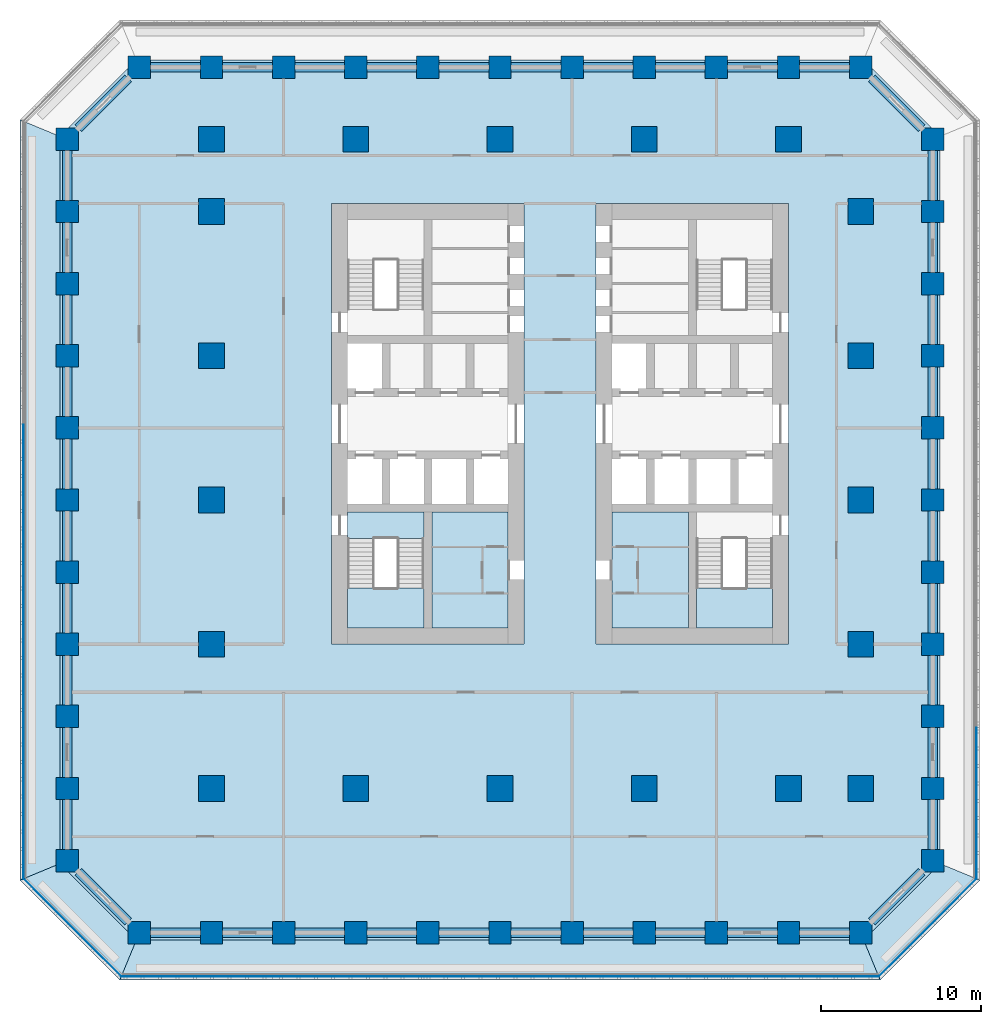
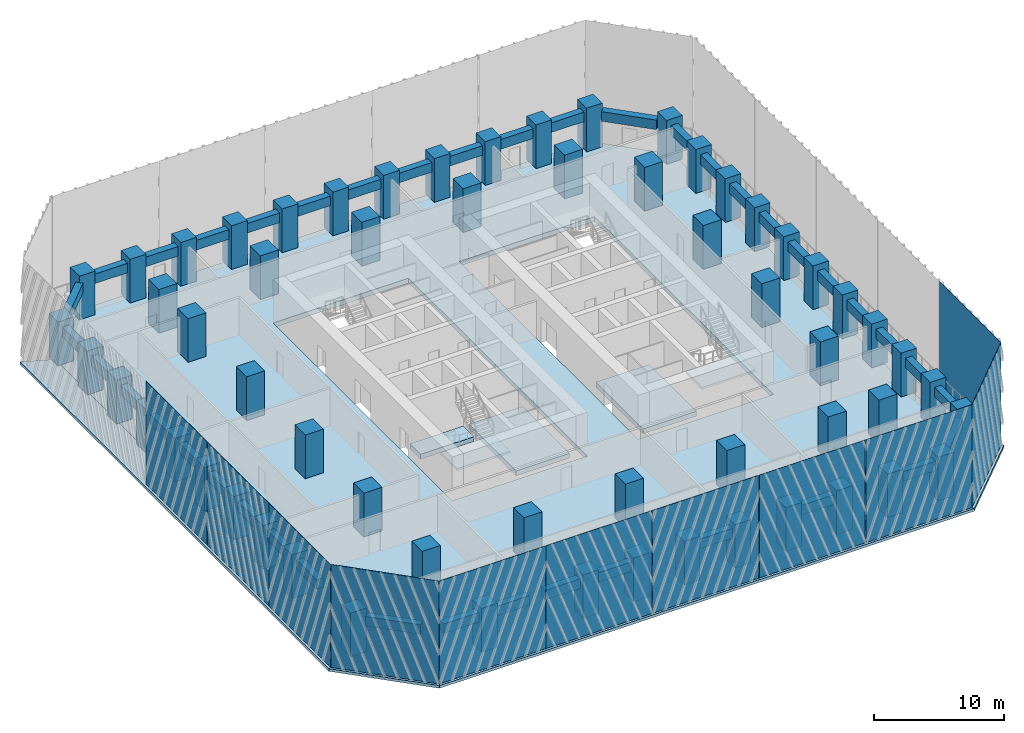
# One storey, part 1 of 12: 63 columns, 44 beams, 11 plates, 10 slabs, 2 elements without a shape of their own.
"""IFC4 building model written with IfcOpenShell, lengths in metres."""

from ifc_helpers import new_model, si_unit, direction, frame, origin, origin_2d, place, context, subcontext, project, spatial, polyline, rectangle, outline, extrude, material, layer, layer_set, material_profile, profile_set, type_object, element, aggregate, save


model = new_model("IFC4")

# Units and contexts
model_context = context("Model", 3, precision=1e-05, world=origin(), true_north=direction((0.0, 1.0)))
body_context = subcontext(model_context, "Body", "Model", "MODEL_VIEW")
ifc_project = project(units=[si_unit("LENGTHUNIT", "METRE"), si_unit("AREAUNIT", "SQUARE_METRE"), si_unit("VOLUMEUNIT", "CUBIC_METRE"), si_unit("PLANEANGLEUNIT", "RADIAN"), si_unit("MASSUNIT", "GRAM", prefix="KILO")], contexts=[model_context])

# Site, building, storey
site_placement = place(None, origin())
site = spatial("IfcSite", under=ifc_project, at=site_placement, CompositionType="ELEMENT")
building_placement = place(site_placement, origin())
building = spatial("IfcBuilding", under=site, at=building_placement, Name="Corbel Stack Research Tower", CompositionType="ELEMENT")
storey_placement = place(building_placement, frame((0.0, 0.0, 31.800048828125)))
storey = spatial("IfcBuildingStorey", under=building, at=storey_placement, Name="L07", CompositionType="ELEMENT", Elevation=31.800048828125)

# Columns
ifc_material_1 = material(Name="Concrete C70/85", Category="concrete")
ifc_material_profile_1 = material_profile(ifc_material_1, rectangle(XDim=1.39990234375, YDim=1.39990234375, at=origin_2d()), Name="RC 1400 x 1400")
ifc_profile_set_1 = profile_set([ifc_material_profile_1], Name="Concrete C70/85")
column_type_1 = type_object("IfcColumnType", Name="C-1400-70", PredefinedType="COLUMN", material=ifc_profile_set_1)
for number, where, z_axis, x_axis, name in (
    (1, (-27.0, -22.5, 0.0), (0.0, 0.0, 1.0), (1.0, 0.0, 0.0), "Column 2/C L07"),
    (2, (-27.0, -18.0, 0.0), (0.0, 0.0, 1.0), (1.0, 0.0, 0.0), "Column 2/D L07"),
    (3, (-27.0, -13.5, 0.0), (0.0, 0.0, 1.0), (1.0, 0.0, 0.0), "Column 2/E L07"),
    (4, (-27.0, -9.0, 0.0), (0.0, 0.0, 1.0), (1.0, 0.0, 0.0), "Column 2/F L07"),
    (5, (-27.0, -4.5, 0.0), (0.0, 0.0, 1.0), (1.0, 0.0, 0.0), "Column 2/G L07"),
    (6, (-27.0, 0.0, 0.0), (0.0, 0.0, 1.0), (1.0, 0.0, 0.0), "Column 2/H L07"),
    (7, (-27.0, 4.5, 0.0), (0.0, 0.0, 1.0), (1.0, 0.0, 0.0), "Column 2/J L07"),
    (8, (-27.0, 9.0, 0.0), (0.0, 0.0, 1.0), (1.0, 0.0, 0.0), "Column 2/K L07"),
    (9, (-27.0, 13.5, 0.0), (0.0, 0.0, 1.0), (1.0, 0.0, 0.0), "Column 2/L L07"),
    (10, (-27.0, 18.0, 0.0), (0.0, 0.0, 1.0), (1.0, 0.0, 0.0), "Column 2/M L07"),
    (11, (-27.0, 22.5, 0.0), (0.0, 0.0, 1.0), (1.0, 0.0, 0.0), "Column 2/N L07"),
    (12, (-22.5, -27.0, 0.0), (0.0, 0.0, 1.0), (1.0, 0.0, 0.0), "Column 3/B L07"),
    (13, (-22.5, 27.0, 0.0), (0.0, 0.0, 1.0), (1.0, 0.0, 0.0), "Column 3/P L07"),
    (14, (-18.0, -27.0, 0.0), (0.0, 0.0, 1.0), (1.0, 0.0, 0.0), "Column 4/B L07"),
    (15, (-18.0, 27.0, 0.0), (0.0, 0.0, 1.0), (1.0, 0.0, 0.0), "Column 4/P L07"),
    (16, (-13.5, -27.0, 0.0), (0.0, 0.0, 1.0), (1.0, 0.0, 0.0), "Column 5/B L07"),
    (17, (-13.5, 27.0, 0.0), (0.0, 0.0, 1.0), (1.0, 0.0, 0.0), "Column 5/P L07"),
    (18, (-9.0, -27.0, 0.0), (0.0, 0.0, 1.0), (1.0, 0.0, 0.0), "Column 6/B L07"),
    (19, (-9.0, 27.0, 0.0), (0.0, 0.0, 1.0), (1.0, 0.0, 0.0), "Column 6/P L07"),
    (20, (-4.5, -27.0, 0.0), (0.0, 0.0, 1.0), (1.0, 0.0, 0.0), "Column 7/B L07"),
    (21, (-4.5, 27.0, 0.0), (0.0, 0.0, 1.0), (1.0, 0.0, 0.0), "Column 7/P L07"),
    (22, (0.0, -27.0, 0.0), (0.0, 0.0, 1.0), (1.0, 0.0, 0.0), "Column 8/B L07"),
    (23, (0.0, 27.0, 0.0), (0.0, 0.0, 1.0), (1.0, 0.0, 0.0), "Column 8/P L07"),
    (24, (4.5, -27.0, 0.0), (0.0, 0.0, 1.0), (1.0, 0.0, 0.0), "Column 9/B L07"),
    (25, (4.5, 27.0, 0.0), (0.0, 0.0, 1.0), (1.0, 0.0, 0.0), "Column 9/P L07"),
    (26, (9.0, -27.0, 0.0), (0.0, 0.0, 1.0), (1.0, 0.0, 0.0), "Column 10/B L07"),
    (27, (9.0, 27.0, 0.0), (0.0, 0.0, 1.0), (1.0, 0.0, 0.0), "Column 10/P L07"),
    (28, (13.5, -27.0, 0.0), (0.0, 0.0, 1.0), (1.0, 0.0, 0.0), "Column 11/B L07"),
    (29, (13.5, 27.0, 0.0), (0.0, 0.0, 1.0), (1.0, 0.0, 0.0), "Column 11/P L07"),
    (30, (18.0, -27.0, 0.0), (0.0, 0.0, 1.0), (1.0, 0.0, 0.0), "Column 12/B L07"),
    (31, (18.0, 27.0, 0.0), (0.0, 0.0, 1.0), (1.0, 0.0, 0.0), "Column 12/P L07"),
    (32, (22.5, -27.0, 0.0), (0.0, 0.0, 1.0), (1.0, 0.0, 0.0), "Column 13/B L07"),
    (33, (22.5, 27.0, 0.0), (0.0, 0.0, 1.0), (1.0, 0.0, 0.0), "Column 13/P L07"),
    (34, (27.0, -22.5, 0.0), (0.0, 0.0, 1.0), (1.0, 0.0, 0.0), "Column 14/C L07"),
    (35, (27.0, -18.0, 0.0), (0.0, 0.0, 1.0), (1.0, 0.0, 0.0), "Column 14/D L07"),
    (36, (27.0, -13.5, 0.0), (0.0, 0.0, 1.0), (1.0, 0.0, 0.0), "Column 14/E L07"),
    (37, (27.0, -9.0, 0.0), (0.0, 0.0, 1.0), (1.0, 0.0, 0.0), "Column 14/F L07"),
    (38, (27.0, -4.5, 0.0), (0.0, 0.0, 1.0), (1.0, 0.0, 0.0), "Column 14/G L07"),
    (39, (27.0, 0.0, 0.0), (0.0, 0.0, 1.0), (1.0, 0.0, 0.0), "Column 14/H L07"),
    (40, (27.0, 4.5, 0.0), (0.0, 0.0, 1.0), (1.0, 0.0, 0.0), "Column 14/J L07"),
    (41, (27.0, 9.0, 0.0), (0.0, 0.0, 1.0), (1.0, 0.0, 0.0), "Column 14/K L07"),
    (42, (27.0, 13.5, 0.0), (0.0, 0.0, 1.0), (1.0, 0.0, 0.0), "Column 14/L L07"),
    (43, (27.0, 18.0, 0.0), (0.0, 0.0, 1.0), (1.0, 0.0, 0.0), "Column 14/M L07"),
    (44, (27.0, 22.5, 0.0), (0.0, 0.0, 1.0), (1.0, 0.0, 0.0), "Column 14/N L07"),
):
    element("IfcColumn", number, at=place(storey_placement, frame(where, z_axis=z_axis, x_axis=x_axis)), inside=storey, type_object=column_type_1, Name=name, PredefinedType="COLUMN", context=body_context, shape_type="SweptSolid", body=[
        extrude(rectangle(XDim=1.39990234375, YDim=1.39990234375, at=origin_2d()), origin(), (0.0, 0.0, 1.0), 4.099853515625),
    ])
ifc_material_2 = material(Name="Concrete C70/85", Category="concrete")
ifc_material_profile_2 = material_profile(ifc_material_2, rectangle(XDim=1.60009765625, YDim=1.60009765625, at=origin_2d()), Name="RC 1600 x 1600")
ifc_profile_set_2 = profile_set([ifc_material_profile_2], Name="Concrete C70/85")
column_type_2 = type_object("IfcColumnType", Name="C-1600-70", PredefinedType="COLUMN", material=ifc_profile_set_2)
for number, where, z_axis, x_axis, name in (
    (45, (-18.0, -18.0, 0.0), (0.0, 0.0, 1.0), (1.0, 0.0, 0.0), "Column 4/D L07"),
    (46, (-18.0, -9.0, 0.0), (0.0, 0.0, 1.0), (1.0, 0.0, 0.0), "Column 4/F L07"),
    (47, (-18.0, 0.0, 0.0), (0.0, 0.0, 1.0), (1.0, 0.0, 0.0), "Column 4/H L07"),
    (48, (-18.0, 9.0, 0.0), (0.0, 0.0, 1.0), (1.0, 0.0, 0.0), "Column 4/K L07"),
    (49, (-18.0, 18.0, 0.0), (0.0, 0.0, 1.0), (1.0, 0.0, 0.0), "Column 4/M L07"),
    (50, (-18.0, 22.5, 0.0), (0.0, 0.0, 1.0), (1.0, 0.0, 0.0), "Column 4/N L07"),
    (51, (-9.0, -18.0, 0.0), (0.0, 0.0, 1.0), (1.0, 0.0, 0.0), "Column 6/D L07"),
    (52, (-9.0, 22.5, 0.0), (0.0, 0.0, 1.0), (1.0, 0.0, 0.0), "Column 6/N L07"),
    (53, (0.0, -18.0, 0.0), (0.0, 0.0, 1.0), (1.0, 0.0, 0.0), "Column 8/D L07"),
    (54, (0.0, 22.5, 0.0), (0.0, 0.0, 1.0), (1.0, 0.0, 0.0), "Column 8/N L07"),
    (55, (9.0, -18.0, 0.0), (0.0, 0.0, 1.0), (1.0, 0.0, 0.0), "Column 10/D L07"),
    (56, (9.0, 22.5, 0.0), (0.0, 0.0, 1.0), (1.0, 0.0, 0.0), "Column 10/N L07"),
    (57, (18.0, -18.0, 0.0), (0.0, 0.0, 1.0), (1.0, 0.0, 0.0), "Column 12/D L07"),
    (58, (18.0, 22.5, 0.0), (0.0, 0.0, 1.0), (1.0, 0.0, 0.0), "Column 12/N L07"),
    (59, (22.5, -18.0, 0.0), (0.0, 0.0, 1.0), (1.0, 0.0, 0.0), "Column 13/D L07"),
    (60, (22.5, -9.0, 0.0), (0.0, 0.0, 1.0), (1.0, 0.0, 0.0), "Column 13/F L07"),
    (61, (22.5, 0.0, 0.0), (0.0, 0.0, 1.0), (1.0, 0.0, 0.0), "Column 13/H L07"),
    (62, (22.5, 9.0, 0.0), (0.0, 0.0, 1.0), (1.0, 0.0, 0.0), "Column 13/K L07"),
    (63, (22.5, 18.0, 0.0), (0.0, 0.0, 1.0), (1.0, 0.0, 0.0), "Column 13/M L07"),
):
    element("IfcColumn", number, at=place(storey_placement, frame(where, z_axis=z_axis, x_axis=x_axis)), inside=storey, type_object=column_type_2, Name=name, PredefinedType="COLUMN", context=body_context, shape_type="SweptSolid", body=[
        extrude(rectangle(XDim=1.60009765625, YDim=1.60009765625, at=origin_2d()), origin(), (0.0, 0.0, 1.0), 4.099853515625),
    ])

# Beams
ifc_material_3 = material(Name="Concrete C60/75", Category="concrete")
ifc_material_profile_3 = material_profile(ifc_material_3, rectangle(XDim=0.60009765625, YDim=0.89990234375, at=origin_2d()), Name="RC 600 x 900")
ifc_profile_set_3 = profile_set([ifc_material_profile_3], Name="Concrete C60/75")
beam_type = type_object("IfcBeamType", Name="SB-600-900-600", PredefinedType="SPANDREL", material=ifc_profile_set_3)
for number, where, z_axis, x_axis, name in (
    (64, (-21.800048828125, -27.0, 3.050048828125), (1.0, 0.0, 0.0), (0.0, 1.0, 0.0), "Spandrel beam L07-01"),
    (65, (-17.300048828125, -27.0, 3.050048828125), (1.0, 0.0, 0.0), (0.0, 1.0, 0.0), "Spandrel beam L07-02"),
    (66, (-12.800048828125, -27.0, 3.050048828125), (1.0, 0.0, 0.0), (0.0, 1.0, 0.0), "Spandrel beam L07-03"),
    (67, (-8.300048828125, -27.0, 3.050048828125), (1.0, 0.0, 0.0), (0.0, 1.0, 0.0), "Spandrel beam L07-04"),
    (68, (-3.800048828125, -27.0, 3.050048828125), (1.0, 0.0, 0.0), (0.0, 1.0, 0.0), "Spandrel beam L07-05"),
    (69, (0.699951171875, -27.0, 3.050048828125), (1.0, 0.0, 0.0), (0.0, 1.0, 0.0), "Spandrel beam L07-06"),
    (70, (5.199951171875, -27.0, 3.050048828125), (1.0, 0.0, 0.0), (0.0, 1.0, 0.0), "Spandrel beam L07-07"),
    (71, (9.699951171875, -27.0, 3.050048828125), (1.0, 0.0, 0.0), (0.0, 1.0, 0.0), "Spandrel beam L07-08"),
    (72, (14.199951171875, -27.0, 3.050048828125), (1.0, 0.0, 0.0), (0.0, 1.0, 0.0), "Spandrel beam L07-09"),
    (73, (18.699951171875, -27.0, 3.050048828125), (1.0, 0.0, 0.0), (0.0, 1.0, 0.0), "Spandrel beam L07-10"),
):
    element("IfcBeam", number, at=place(storey_placement, frame(where, z_axis=z_axis, x_axis=x_axis)), inside=storey, type_object=beam_type, Name=name, PredefinedType="SPANDREL", context=body_context, shape_type="SweptSolid", body=[
        extrude(rectangle(XDim=0.60009765625, YDim=0.89990234375, at=origin_2d()), origin(), (0.0, 0.0, 1.0), 3.10009765625),
    ])
beam_1_placement = place(storey_placement, frame((23.199951171875, -26.300048828125, 3.050048828125), z_axis=(0.707106781187, 0.707106781187, 0.0), x_axis=(-0.707106781187, 0.707106781187, 0.0)))
element("IfcBeam", 74, at=beam_1_placement, inside=storey, type_object=beam_type, Name="Spandrel beam L07-11", PredefinedType="SPANDREL", context=body_context, shape_type="SweptSolid", body=[
    extrude(rectangle(XDim=0.60009765625, YDim=0.89990234375, at=origin_2d()), origin(), (0.0, 0.0, 1.0), 4.38427734375),
])
for number, where, z_axis, x_axis, name in (
    (75, (27.0, -21.800048828125, 3.050048828125), (0.0, 1.0, 0.0), (-1.0, 0.0, 0.0), "Spandrel beam L07-12"),
    (76, (27.0, -17.300048828125, 3.050048828125), (0.0, 1.0, 0.0), (-1.0, 0.0, 0.0), "Spandrel beam L07-13"),
    (77, (27.0, -12.800048828125, 3.050048828125), (0.0, 1.0, 0.0), (-1.0, 0.0, 0.0), "Spandrel beam L07-14"),
    (78, (27.0, -8.300048828125, 3.050048828125), (0.0, 1.0, 0.0), (-1.0, 0.0, 0.0), "Spandrel beam L07-15"),
    (79, (27.0, -3.800048828125, 3.050048828125), (0.0, 1.0, 0.0), (-1.0, 0.0, 0.0), "Spandrel beam L07-16"),
    (80, (27.0, 0.699951171875, 3.050048828125), (0.0, 1.0, 0.0), (-1.0, 0.0, 0.0), "Spandrel beam L07-17"),
    (81, (27.0, 5.199951171875, 3.050048828125), (0.0, 1.0, 0.0), (-1.0, 0.0, 0.0), "Spandrel beam L07-18"),
    (82, (27.0, 9.699951171875, 3.050048828125), (0.0, 1.0, 0.0), (-1.0, 0.0, 0.0), "Spandrel beam L07-19"),
    (83, (27.0, 14.199951171875, 3.050048828125), (0.0, 1.0, 0.0), (-1.0, 0.0, 0.0), "Spandrel beam L07-20"),
    (84, (27.0, 18.699951171875, 3.050048828125), (0.0, 1.0, 0.0), (-1.0, 0.0, 0.0), "Spandrel beam L07-21"),
):
    element("IfcBeam", number, at=place(storey_placement, frame(where, z_axis=z_axis, x_axis=x_axis)), inside=storey, type_object=beam_type, Name=name, PredefinedType="SPANDREL", context=body_context, shape_type="SweptSolid", body=[
        extrude(rectangle(XDim=0.60009765625, YDim=0.89990234375, at=origin_2d()), origin(), (0.0, 0.0, 1.0), 3.10009765625),
    ])
beam_2_placement = place(storey_placement, frame((26.300048828125, 23.199951171875, 3.050048828125), z_axis=(-0.707106781187, 0.707106781187, 0.0), x_axis=(-0.707106781187, -0.707106781187, 0.0)))
element("IfcBeam", 85, at=beam_2_placement, inside=storey, type_object=beam_type, Name="Spandrel beam L07-22", PredefinedType="SPANDREL", context=body_context, shape_type="SweptSolid", body=[
    extrude(rectangle(XDim=0.60009765625, YDim=0.89990234375, at=origin_2d()), origin(), (0.0, 0.0, 1.0), 4.38427734375),
])
for number, where, z_axis, x_axis, name in (
    (86, (21.800048828125, 27.0, 3.050048828125), (-1.0, 0.0, 0.0), (0.0, -1.0, 0.0), "Spandrel beam L07-23"),
    (87, (17.300048828125, 27.0, 3.050048828125), (-1.0, 0.0, 0.0), (0.0, -1.0, 0.0), "Spandrel beam L07-24"),
    (88, (12.800048828125, 27.0, 3.050048828125), (-1.0, 0.0, 0.0), (0.0, -1.0, 0.0), "Spandrel beam L07-25"),
    (89, (8.300048828125, 27.0, 3.050048828125), (-1.0, 0.0, 0.0), (0.0, -1.0, 0.0), "Spandrel beam L07-26"),
    (90, (3.800048828125, 27.0, 3.050048828125), (-1.0, 0.0, 0.0), (0.0, -1.0, 0.0), "Spandrel beam L07-27"),
    (91, (-0.699951171875, 27.0, 3.050048828125), (-1.0, 0.0, 0.0), (0.0, -1.0, 0.0), "Spandrel beam L07-28"),
    (92, (-5.199951171875, 27.0, 3.050048828125), (-1.0, 0.0, 0.0), (0.0, -1.0, 0.0), "Spandrel beam L07-29"),
    (93, (-9.699951171875, 27.0, 3.050048828125), (-1.0, 0.0, 0.0), (0.0, -1.0, 0.0), "Spandrel beam L07-30"),
    (94, (-14.199951171875, 27.0, 3.050048828125), (-1.0, 0.0, 0.0), (0.0, -1.0, 0.0), "Spandrel beam L07-31"),
    (95, (-18.699951171875, 27.0, 3.050048828125), (-1.0, 0.0, 0.0), (0.0, -1.0, 0.0), "Spandrel beam L07-32"),
):
    element("IfcBeam", number, at=place(storey_placement, frame(where, z_axis=z_axis, x_axis=x_axis)), inside=storey, type_object=beam_type, Name=name, PredefinedType="SPANDREL", context=body_context, shape_type="SweptSolid", body=[
        extrude(rectangle(XDim=0.60009765625, YDim=0.89990234375, at=origin_2d()), origin(), (0.0, 0.0, 1.0), 3.10009765625),
    ])
beam_3_placement = place(storey_placement, frame((-23.199951171875, 26.300048828125, 3.050048828125), z_axis=(-0.707106781187, -0.707106781187, 0.0), x_axis=(0.707106781187, -0.707106781187, 0.0)))
element("IfcBeam", 96, at=beam_3_placement, inside=storey, type_object=beam_type, Name="Spandrel beam L07-33", PredefinedType="SPANDREL", context=body_context, shape_type="SweptSolid", body=[
    extrude(rectangle(XDim=0.60009765625, YDim=0.89990234375, at=origin_2d()), origin(), (0.0, 0.0, 1.0), 4.38427734375),
])
for number, where, z_axis, x_axis, name in (
    (97, (-27.0, 21.800048828125, 3.050048828125), (0.0, -1.0, 0.0), (1.0, 0.0, 0.0), "Spandrel beam L07-34"),
    (98, (-27.0, 17.300048828125, 3.050048828125), (0.0, -1.0, 0.0), (1.0, 0.0, 0.0), "Spandrel beam L07-35"),
    (99, (-27.0, 12.800048828125, 3.050048828125), (0.0, -1.0, 0.0), (1.0, 0.0, 0.0), "Spandrel beam L07-36"),
    (100, (-27.0, 8.300048828125, 3.050048828125), (0.0, -1.0, 0.0), (1.0, 0.0, 0.0), "Spandrel beam L07-37"),
    (101, (-27.0, 3.800048828125, 3.050048828125), (0.0, -1.0, 0.0), (1.0, 0.0, 0.0), "Spandrel beam L07-38"),
    (102, (-27.0, -0.699951171875, 3.050048828125), (0.0, -1.0, 0.0), (1.0, 0.0, 0.0), "Spandrel beam L07-39"),
    (103, (-27.0, -5.199951171875, 3.050048828125), (0.0, -1.0, 0.0), (1.0, 0.0, 0.0), "Spandrel beam L07-40"),
    (104, (-27.0, -9.699951171875, 3.050048828125), (0.0, -1.0, 0.0), (1.0, 0.0, 0.0), "Spandrel beam L07-41"),
    (105, (-27.0, -14.199951171875, 3.050048828125), (0.0, -1.0, 0.0), (1.0, 0.0, 0.0), "Spandrel beam L07-42"),
    (106, (-27.0, -18.699951171875, 3.050048828125), (0.0, -1.0, 0.0), (1.0, 0.0, 0.0), "Spandrel beam L07-43"),
):
    element("IfcBeam", number, at=place(storey_placement, frame(where, z_axis=z_axis, x_axis=x_axis)), inside=storey, type_object=beam_type, Name=name, PredefinedType="SPANDREL", context=body_context, shape_type="SweptSolid", body=[
        extrude(rectangle(XDim=0.60009765625, YDim=0.89990234375, at=origin_2d()), origin(), (0.0, 0.0, 1.0), 3.10009765625),
    ])
beam_4_placement = place(storey_placement, frame((-26.300048828125, -23.199951171875, 3.050048828125), z_axis=(0.707106781187, -0.707106781187, 0.0), x_axis=(0.707106781187, 0.707106781187, 0.0)))
element("IfcBeam", 107, at=beam_4_placement, inside=storey, type_object=beam_type, Name="Spandrel beam L07-44", PredefinedType="SPANDREL", context=body_context, shape_type="SweptSolid", body=[
    extrude(rectangle(XDim=0.60009765625, YDim=0.89990234375, at=origin_2d()), origin(), (0.0, 0.0, 1.0), 4.38427734375),
])

# Plates
ifc_material_4 = material(Name="Fritted glass", Category="glass")
ifc_layer_1 = layer(ifc_material_4, 0.02490234375)
ifc_layer_set_1 = layer_set([ifc_layer_1], Name="Fritted glass")
plate_type = type_object("IfcPlateType", Name="Fritted glass panel 25", PredefinedType="SHEET", material=ifc_layer_set_1)
for number, where, z_axis, x_axis, name in (
    (108, (-18.911376953125, -29.737548828125, 0.0), (0.0, 0.0, 1.0), (1.0, 0.0, 0.0), "Fritted glass L07 S1"),
    (109, (-9.45556640625, -29.737548828125, 0.0), (0.0, 0.0, 1.0), (1.0, 0.0, 0.0), "Fritted glass L07 S2"),
    (110, (0.0, -29.737548828125, 0.0), (0.0, 0.0, 1.0), (1.0, 0.0, 0.0), "Fritted glass L07 S3"),
    (111, (9.45556640625, -29.737548828125, 0.0), (0.0, 0.0, 1.0), (1.0, 0.0, 0.0), "Fritted glass L07 S4"),
    (112, (18.911376953125, -29.737548828125, 0.0), (0.0, 0.0, 1.0), (1.0, 0.0, 0.0), "Fritted glass L07 S5"),
):
    element("IfcPlate", number, at=place(storey_placement, frame(where, z_axis=z_axis, x_axis=x_axis)), inside=storey, type_object=plate_type, Name=name, PredefinedType="SHEET", context=body_context, shape_type="SweptSolid", body=[
        extrude(rectangle(XDim=9.3955078125, YDim=0.02490234375, at=origin_2d()), origin(), (0.0, 0.0, 1.0), 9.64990234375),
    ])
plate_1_placement = place(storey_placement, frame((26.685791015625, -26.685791015625, 0.0), z_axis=(0.0, 0.0, 1.0), x_axis=(0.707106781187, 0.707106781187, 0.0)))
element("IfcPlate", 113, at=plate_1_placement, inside=storey, type_object=plate_type, Name="Fritted glass L07 SE1", PredefinedType="SHEET", context=body_context, shape_type="SweptSolid", body=[
    extrude(rectangle(XDim=8.58203125, YDim=0.02490234375, at=origin_2d()), origin(), (0.0, 0.0, 1.0), 9.64990234375),
])
for number, where, z_axis, x_axis, name in (
    (114, (29.737548828125, -18.911376953125, 0.0), (0.0, 0.0, 1.0), (0.0, 1.0, 0.0), "Fritted glass L07 E1"),
    (115, (-29.737548828125, 0.0, 0.0), (0.0, 0.0, 1.0), (0.0, -1.0, 0.0), "Fritted glass L07 W3"),
    (116, (-29.737548828125, -9.45556640625, 0.0), (0.0, 0.0, 1.0), (0.0, -1.0, 0.0), "Fritted glass L07 W4"),
    (117, (-29.737548828125, -18.911376953125, 0.0), (0.0, 0.0, 1.0), (0.0, -1.0, 0.0), "Fritted glass L07 W5"),
):
    element("IfcPlate", number, at=place(storey_placement, frame(where, z_axis=z_axis, x_axis=x_axis)), inside=storey, type_object=plate_type, Name=name, PredefinedType="SHEET", context=body_context, shape_type="SweptSolid", body=[
        extrude(rectangle(XDim=9.3955078125, YDim=0.02490234375, at=origin_2d()), origin(), (0.0, 0.0, 1.0), 9.64990234375),
    ])
plate_2_placement = place(storey_placement, frame((-26.685791015625, -26.685791015625, 0.0), z_axis=(0.0, 0.0, 1.0), x_axis=(0.707106781187, -0.707106781187, 0.0)))
element("IfcPlate", 118, at=plate_2_placement, inside=storey, type_object=plate_type, Name="Fritted glass L07 SW1", PredefinedType="SHEET", context=body_context, shape_type="SweptSolid", body=[
    extrude(rectangle(XDim=8.58203125, YDim=0.02490234375, at=origin_2d()), origin(), (0.0, 0.0, 1.0), 9.64990234375),
])

# Slabs
ifc_material_5 = material(Name="Concrete C45/55", Category="concrete")
ifc_layer_2 = layer(ifc_material_5, 0.25)
ifc_layer_set_2 = layer_set([ifc_layer_2], Name="Concrete C45/55")
slab_type_1 = type_object("IfcSlabType", Name="PT balcony slab 250 C45/55", PredefinedType="FLOOR", material=ifc_layer_set_2)
slab_1_placement = place(storey_placement, frame((0.0, 0.0, -0.25)))
element("IfcSlab", 119, at=slab_1_placement, inside=storey, type_object=slab_type_1, Name="Loggia slab L07 S", PredefinedType="FLOOR", context=body_context, shape_type="SweptSolid", body=[
    extrude(outline(polyline([(22.789794921875, -27.699951171875), (21.800048828125, -27.699951171875), (21.800048828125, -27.449951171875), (18.699951171875, -27.449951171875), (18.699951171875, -27.699951171875), (17.300048828125, -27.699951171875), (17.300048828125, -27.449951171875), (14.199951171875, -27.449951171875), (14.199951171875, -27.699951171875), (12.800048828125, -27.699951171875), (12.800048828125, -27.449951171875), (9.699951171875, -27.449951171875), (9.699951171875, -27.699951171875), (8.300048828125, -27.699951171875), (8.300048828125, -27.449951171875), (5.199951171875, -27.449951171875), (5.199951171875, -27.699951171875), (3.800048828125, -27.699951171875), (3.800048828125, -27.449951171875), (0.699951171875, -27.449951171875), (0.699951171875, -27.699951171875), (-0.699951171875, -27.699951171875), (-0.699951171875, -27.449951171875), (-3.800048828125, -27.449951171875), (-3.800048828125, -27.699951171875), (-5.199951171875, -27.699951171875), (-5.199951171875, -27.449951171875), (-8.300048828125, -27.449951171875), (-8.300048828125, -27.699951171875), (-9.699951171875, -27.699951171875), (-9.699951171875, -27.449951171875), (-12.800048828125, -27.449951171875), (-12.800048828125, -27.699951171875), (-14.199951171875, -27.699951171875), (-14.199951171875, -27.449951171875), (-17.300048828125, -27.449951171875), (-17.300048828125, -27.699951171875), (-18.699951171875, -27.699951171875), (-18.699951171875, -27.449951171875), (-21.800048828125, -27.449951171875), (-21.800048828125, -27.699951171875), (-22.789794921875, -27.699951171875), (-23.721923828125, -29.949951171875), (23.721923828125, -29.949951171875), (22.789794921875, -27.699951171875)])), origin(), (0.0, 0.0, 1.0), 0.25),
])
slab_2_placement = place(storey_placement, frame((0.0, 0.0, -0.25)))
element("IfcSlab", 120, at=slab_2_placement, inside=storey, type_object=slab_type_1, Name="Loggia slab L07 SE", PredefinedType="FLOOR", context=body_context, shape_type="SweptSolid", body=[
    extrude(outline(polyline([(27.699951171875, -22.789794921875), (27.699951171875, -23.199951171875), (26.936279296875, -23.199951171875), (23.199951171875, -26.936279296875), (23.199951171875, -27.699951171875), (22.789794921875, -27.699951171875), (23.721923828125, -29.949951171875), (29.949951171875, -23.721923828125), (27.699951171875, -22.789794921875)])), origin(), (0.0, 0.0, 1.0), 0.25),
])
slab_3_placement = place(storey_placement, frame((0.0, 0.0, -0.25)))
element("IfcSlab", 121, at=slab_3_placement, inside=storey, type_object=slab_type_1, Name="Loggia slab L07 W", PredefinedType="FLOOR", context=body_context, shape_type="SweptSolid", body=[
    extrude(outline(polyline([(-27.699951171875, -22.789794921875), (-27.699951171875, -21.800048828125), (-27.449951171875, -21.800048828125), (-27.449951171875, -18.699951171875), (-27.699951171875, -18.699951171875), (-27.699951171875, -17.300048828125), (-27.449951171875, -17.300048828125), (-27.449951171875, -14.199951171875), (-27.699951171875, -14.199951171875), (-27.699951171875, -12.800048828125), (-27.449951171875, -12.800048828125), (-27.449951171875, -9.699951171875), (-27.699951171875, -9.699951171875), (-27.699951171875, -8.300048828125), (-27.449951171875, -8.300048828125), (-27.449951171875, -5.199951171875), (-27.699951171875, -5.199951171875), (-27.699951171875, -3.800048828125), (-27.449951171875, -3.800048828125), (-27.449951171875, -0.699951171875), (-27.699951171875, -0.699951171875), (-27.699951171875, 0.699951171875), (-27.449951171875, 0.699951171875), (-27.449951171875, 3.800048828125), (-27.699951171875, 3.800048828125), (-27.699951171875, 5.199951171875), (-27.449951171875, 5.199951171875), (-27.449951171875, 8.300048828125), (-27.699951171875, 8.300048828125), (-27.699951171875, 9.699951171875), (-27.449951171875, 9.699951171875), (-27.449951171875, 12.800048828125), (-27.699951171875, 12.800048828125), (-27.699951171875, 14.199951171875), (-27.449951171875, 14.199951171875), (-27.449951171875, 17.300048828125), (-27.699951171875, 17.300048828125), (-27.699951171875, 18.699951171875), (-27.449951171875, 18.699951171875), (-27.449951171875, 21.800048828125), (-27.699951171875, 21.800048828125), (-27.699951171875, 22.789794921875), (-29.949951171875, 23.721923828125), (-29.949951171875, -23.721923828125), (-27.699951171875, -22.789794921875)])), origin(), (0.0, 0.0, 1.0), 0.25),
])
slab_4_placement = place(storey_placement, frame((0.0, 0.0, -0.25)))
element("IfcSlab", 122, at=slab_4_placement, inside=storey, type_object=slab_type_1, Name="Loggia slab L07 SW", PredefinedType="FLOOR", context=body_context, shape_type="SweptSolid", body=[
    extrude(outline(polyline([(-22.789794921875, -27.699951171875), (-23.199951171875, -27.699951171875), (-23.199951171875, -26.936279296875), (-26.936279296875, -23.199951171875), (-27.699951171875, -23.199951171875), (-27.699951171875, -22.789794921875), (-29.949951171875, -23.721923828125), (-23.721923828125, -29.949951171875), (-22.789794921875, -27.699951171875)])), origin(), (0.0, 0.0, 1.0), 0.25),
])
ifc_material_6 = material(Name="Concrete C45/55", Category="concrete")
ifc_layer_3 = layer(ifc_material_6, 0.449951171875)
ifc_layer_set_3 = layer_set([ifc_layer_3], Name="Concrete C45/55")
slab_type_2 = type_object("IfcSlabType", Name="PT-450", PredefinedType="FLOOR", material=ifc_layer_set_3)
slab_5_placement = place(storey_placement, frame((0.0, 0.0, -0.449951171875)))
element("IfcSlab", 123, at=slab_5_placement, inside=storey, type_object=slab_type_2, Name="Floor slab L07", PredefinedType="FLOOR", context=body_context, shape_type="SweptSolid", body=[
    extrude(outline(polyline([(-22.686279296875, -27.449951171875), (22.686279296875, -27.449951171875), (27.449951171875, -22.686279296875), (27.449951171875, 22.686279296875), (22.686279296875, 27.449951171875), (-22.686279296875, 27.449951171875), (-27.449951171875, 22.686279296875), (-27.449951171875, -22.686279296875), (-22.686279296875, -27.449951171875)]), holes=[polyline([(23.300048828125, 17.199951171875), (21.699951171875, 17.199951171875), (21.699951171875, 18.800048828125), (23.300048828125, 18.800048828125), (23.300048828125, 17.199951171875)]), polyline([(21.699951171875, 8.199951171875), (21.699951171875, 9.800048828125), (23.300048828125, 9.800048828125), (23.300048828125, 8.199951171875), (21.699951171875, 8.199951171875)]), polyline([(23.300048828125, -0.800048828125), (21.699951171875, -0.800048828125), (21.699951171875, 0.800048828125), (23.300048828125, 0.800048828125), (23.300048828125, -0.800048828125)]), polyline([(21.699951171875, -9.800048828125), (21.699951171875, -8.199951171875), (23.300048828125, -8.199951171875), (23.300048828125, -9.800048828125), (21.699951171875, -9.800048828125)]), polyline([(21.699951171875, -18.800048828125), (21.699951171875, -17.199951171875), (23.300048828125, -17.199951171875), (23.300048828125, -18.800048828125), (21.699951171875, -18.800048828125)]), polyline([(17.199951171875, 21.699951171875), (17.199951171875, 23.300048828125), (18.800048828125, 23.300048828125), (18.800048828125, 21.699951171875), (17.199951171875, 21.699951171875)]), polyline([(18.800048828125, -18.800048828125), (17.199951171875, -18.800048828125), (17.199951171875, -17.199951171875), (18.800048828125, -17.199951171875), (18.800048828125, -18.800048828125)]), polyline([(6.0, -9.0), (6.0, 18.5), (18.0, 18.5), (18.0, -9.0), (6.0, -9.0)]), polyline([(8.199951171875, 21.699951171875), (8.199951171875, 23.300048828125), (9.800048828125, 23.300048828125), (9.800048828125, 21.699951171875), (8.199951171875, 21.699951171875)]), polyline([(9.800048828125, -18.800048828125), (8.199951171875, -18.800048828125), (8.199951171875, -17.199951171875), (9.800048828125, -17.199951171875), (9.800048828125, -18.800048828125)]), polyline([(1.5, -9.0), (-10.5, -9.0), (-10.5, 18.5), (1.5, 18.5), (1.5, -9.0)]), polyline([(0.800048828125, 21.699951171875), (-0.800048828125, 21.699951171875), (-0.800048828125, 23.300048828125), (0.800048828125, 23.300048828125), (0.800048828125, 21.699951171875)]), polyline([(0.800048828125, -18.800048828125), (-0.800048828125, -18.800048828125), (-0.800048828125, -17.199951171875), (0.800048828125, -17.199951171875), (0.800048828125, -18.800048828125)]), polyline([(-9.800048828125, 21.699951171875), (-9.800048828125, 23.300048828125), (-8.199951171875, 23.300048828125), (-8.199951171875, 21.699951171875), (-9.800048828125, 21.699951171875)]), polyline([(-8.199951171875, -18.800048828125), (-9.800048828125, -18.800048828125), (-9.800048828125, -17.199951171875), (-8.199951171875, -17.199951171875), (-8.199951171875, -18.800048828125)]), polyline([(-18.800048828125, 21.699951171875), (-18.800048828125, 23.300048828125), (-17.199951171875, 23.300048828125), (-17.199951171875, 21.699951171875), (-18.800048828125, 21.699951171875)]), polyline([(-17.199951171875, 17.199951171875), (-18.800048828125, 17.199951171875), (-18.800048828125, 18.800048828125), (-17.199951171875, 18.800048828125), (-17.199951171875, 17.199951171875)]), polyline([(-17.199951171875, 8.199951171875), (-18.800048828125, 8.199951171875), (-18.800048828125, 9.800048828125), (-17.199951171875, 9.800048828125), (-17.199951171875, 8.199951171875)]), polyline([(-18.800048828125, -0.800048828125), (-18.800048828125, 0.800048828125), (-17.199951171875, 0.800048828125), (-17.199951171875, -0.800048828125), (-18.800048828125, -0.800048828125)]), polyline([(-18.800048828125, -9.800048828125), (-18.800048828125, -8.199951171875), (-17.199951171875, -8.199951171875), (-17.199951171875, -9.800048828125), (-18.800048828125, -9.800048828125)]), polyline([(-17.199951171875, -18.800048828125), (-18.800048828125, -18.800048828125), (-18.800048828125, -17.199951171875), (-17.199951171875, -17.199951171875), (-17.199951171875, -18.800048828125)])]), origin(), (0.0, 0.0, 1.0), 0.449951171875),
])
slab_6_placement = place(storey_placement, frame((0.0, 0.0, -0.449951171875)))
element("IfcSlab", 124, at=slab_6_placement, inside=storey, type_object=slab_type_2, Name="West core floor L07", PredefinedType="FLOOR", context=body_context, shape_type="SweptSolid", body=[
    extrude(outline(polyline([(-4.25, -0.75), (-4.25, -8.0), (0.5, -8.0), (0.5, -0.75), (-4.25, -0.75)])), origin(), (0.0, 0.0, 1.0), 0.449951171875),
])
slab_7_placement = place(storey_placement, frame((0.0, 0.0, -0.449951171875)))
element("IfcSlab", 125, at=slab_7_placement, inside=storey, type_object=slab_type_2, Name="East core floor L07", PredefinedType="FLOOR", context=body_context, shape_type="SweptSolid", body=[
    extrude(outline(polyline([(7.0, -0.75), (7.0, -8.0), (11.75, -8.0), (11.75, -0.75), (7.0, -0.75)])), origin(), (0.0, 0.0, 1.0), 0.449951171875),
])
slab_8_placement = place(storey_placement, frame((0.0, 0.0, -0.449951171875)))
element("IfcSlab", 126, at=slab_8_placement, inside=storey, type_object=slab_type_2, Name="Stair floor landing ST-W1", PredefinedType="FLOOR", context=body_context, shape_type="SweptSolid", body=[
    extrude(outline(polyline([(-9.5, -2.39990234375), (-4.75, -2.39990234375), (-4.75, -0.75), (-9.5, -0.75), (-9.5, -2.39990234375)])), origin(), (0.0, 0.0, 1.0), 0.449951171875),
])

# Stair, slab
ifc_material_7 = material(Name="Concrete C40/50", Category="concrete")
stair_type = type_object("IfcStairType", Name="Exit stair 24 risers", PredefinedType="HALF_TURN_STAIR", material=ifc_material_7)
stair_1_placement = place(storey_placement, origin())
stair_1 = element("IfcStair", 127, at=stair_1_placement, inside=storey, type_object=stair_type, Name="L07 Exit stair ST-W1", PredefinedType="HALF_TURN_STAIR")
ifc_material_8 = material(Name="Concrete C40/50", Category="concrete")
ifc_layer_4 = layer(ifc_material_8, 0.199951171875)
ifc_layer_set_4 = layer_set([ifc_layer_4], Name="Concrete C40/50")
slab_type_3 = type_object("IfcSlabType", Name="Stair landing 200 C40/50", PredefinedType="LANDING", material=ifc_layer_set_4)
slab_9_placement = place(storey_placement, frame((0.0, 0.0, 1.849853515625)))
slab_9 = element("IfcSlab", 128, at=slab_9_placement, type_object=slab_type_3, Name="ST-W1 landing 1", PredefinedType="LANDING", context=body_context, shape_type="SweptSolid", body=[
    extrude(outline(polyline([(-9.5, -8.0), (-9.5, -5.47998046875), (-4.75, -5.47998046875), (-4.75, -8.0), (-9.5, -8.0)])), origin(), (0.0, 0.0, 1.0), 0.2001953125),
])
aggregate(stair_1, [slab_9])

stair_2_placement = place(storey_placement, origin())
stair_2 = element("IfcStair", 129, at=stair_2_placement, inside=storey, type_object=stair_type, Name="L07 Exit stair ST-E1", PredefinedType="HALF_TURN_STAIR")
slab_10_placement = place(storey_placement, frame((0.0, 0.0, 1.849853515625)))
slab_10 = element("IfcSlab", 130, at=slab_10_placement, type_object=slab_type_3, Name="ST-E1 landing 1", PredefinedType="LANDING", context=body_context, shape_type="SweptSolid", body=[
    extrude(outline(polyline([(12.25, -8.0), (12.25, -5.47998046875), (17.0, -5.47998046875), (17.0, -8.0), (12.25, -8.0)])), origin(), (0.0, 0.0, 1.0), 0.2001953125),
])
aggregate(stair_2, [slab_10])

save(model, "model.ifc")
